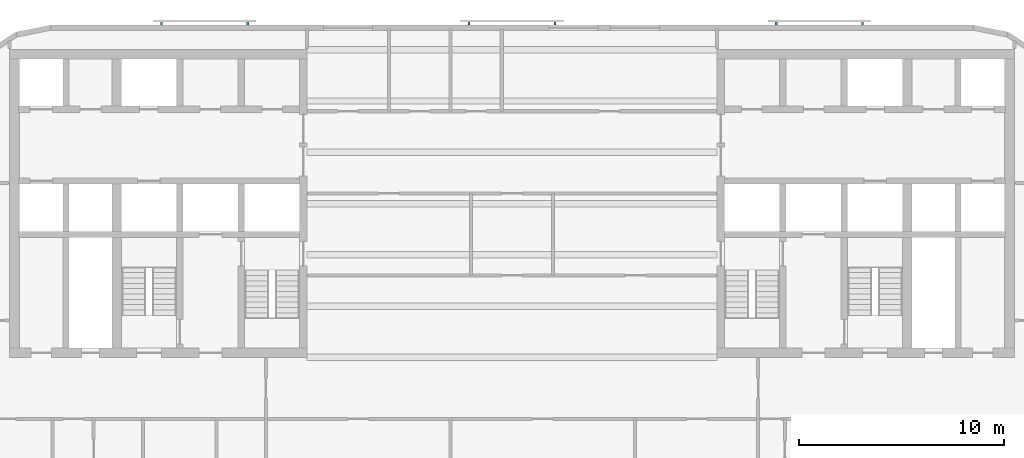
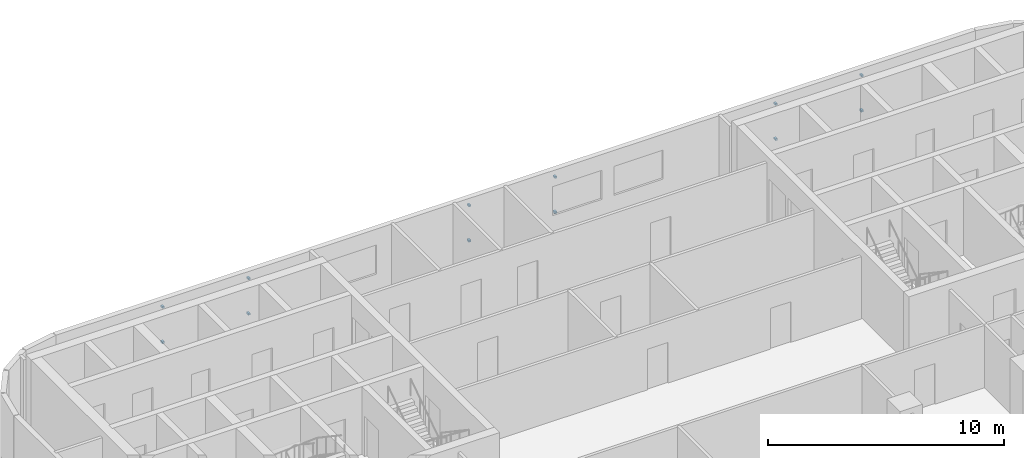
# One storey, part 8 of 11: 12 discrete accessories.
"""IFC4 building model written with IfcOpenShell, lengths in metres."""

from ifc_helpers import new_model, si_unit, direction, frame, origin, origin_2d, place, context, subcontext, project, spatial, rectangle, extrude, material, type_object, element, save


model = new_model("IFC4")

# Units and contexts
model_context = context("Model", 3, precision=1e-05, world=origin(), true_north=direction((0.0, 1.0)))
body_context = subcontext(model_context, "Body", "Model", "MODEL_VIEW")
ifc_project = project(units=[si_unit("LENGTHUNIT", "METRE"), si_unit("AREAUNIT", "SQUARE_METRE"), si_unit("VOLUMEUNIT", "CUBIC_METRE"), si_unit("PLANEANGLEUNIT", "RADIAN"), si_unit("MASSUNIT", "GRAM", prefix="KILO")], contexts=[model_context])

# Site, building, storey
site_placement = place(None, origin())
site = spatial("IfcSite", under=ifc_project, at=site_placement, CompositionType="ELEMENT")
building_placement = place(site_placement, origin())
building = spatial("IfcBuilding", under=site, at=building_placement, Name="Torana Hotel and Residences", CompositionType="ELEMENT")
storey_placement = place(building_placement, frame((0.0, 0.0, 232.60009765625)))
storey = spatial("IfcBuildingStorey", under=building, at=storey_placement, Name="L61", CompositionType="ELEMENT", Elevation=232.60009765625)

# Discrete accessories
ifc_material = material(Name="Steel S355", Category="steel")
discrete_accessory_type = type_object("IfcDiscreteAccessoryType", Name="SCREEN BRACKET 100", PredefinedType="BRACKET", material=ifc_material)
for number, where, z_axis, x_axis, name in (
    (1, (17.08349609375, 1.27490234375, 0.749755859375), (0.0, 0.0, 1.0), (-1.0, 0.0, 0.0), "Screen bracket L61"),
    (2, (17.08349609375, 1.27490234375, 2.56982421875), (0.0, 0.0, 1.0), (-1.0, 0.0, 0.0), "Screen bracket L61"),
    (3, (12.883544921875, 1.27490234375, 0.749755859375), (0.0, 0.0, 1.0), (-1.0, 0.0, 0.0), "Screen bracket L61"),
    (4, (12.883544921875, 1.27490234375, 2.56982421875), (0.0, 0.0, 1.0), (-1.0, 0.0, 0.0), "Screen bracket L61"),
    (5, (2.10009765625, 1.27490234375, 0.749755859375), (0.0, 0.0, 1.0), (-1.0, 0.0, 0.0), "Screen bracket L61"),
    (6, (2.10009765625, 1.27490234375, 2.56982421875), (0.0, 0.0, 1.0), (-1.0, 0.0, 0.0), "Screen bracket L61"),
    (7, (-2.10009765625, 1.27490234375, 0.749755859375), (0.0, 0.0, 1.0), (-1.0, 0.0, 0.0), "Screen bracket L61"),
    (8, (-2.10009765625, 1.27490234375, 2.56982421875), (0.0, 0.0, 1.0), (-1.0, 0.0, 0.0), "Screen bracket L61"),
    (9, (-12.883544921875, 1.27490234375, 0.749755859375), (0.0, 0.0, 1.0), (-1.0, 0.0, 0.0), "Screen bracket L61"),
    (10, (-12.883544921875, 1.27490234375, 2.56982421875), (0.0, 0.0, 1.0), (-1.0, 0.0, 0.0), "Screen bracket L61"),
    (11, (-17.08349609375, 1.27490234375, 0.749755859375), (0.0, 0.0, 1.0), (-1.0, 0.0, 0.0), "Screen bracket L61"),
    (12, (-17.08349609375, 1.27490234375, 2.56982421875), (0.0, 0.0, 1.0), (-1.0, 0.0, 0.0), "Screen bracket L61"),
):
    element("IfcDiscreteAccessory", number, at=place(storey_placement, frame(where, z_axis=z_axis, x_axis=x_axis)), inside=storey, type_object=discrete_accessory_type, Name=name, PredefinedType="BRACKET", context=body_context, shape_type="SweptSolid", body=[
        extrude(rectangle(XDim=0.10009765625, YDim=0.14990234375, at=origin_2d()), origin(), (0.0, 0.0, 1.0), 0.10009765625),
    ])

save(model, "model.ifc")
